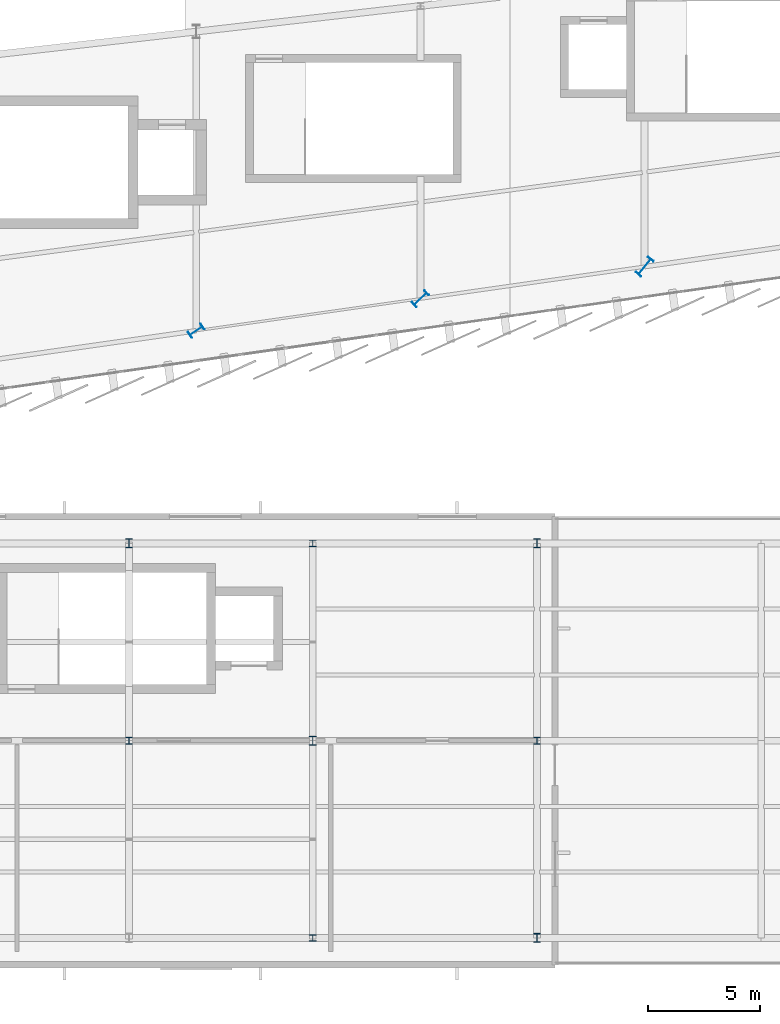
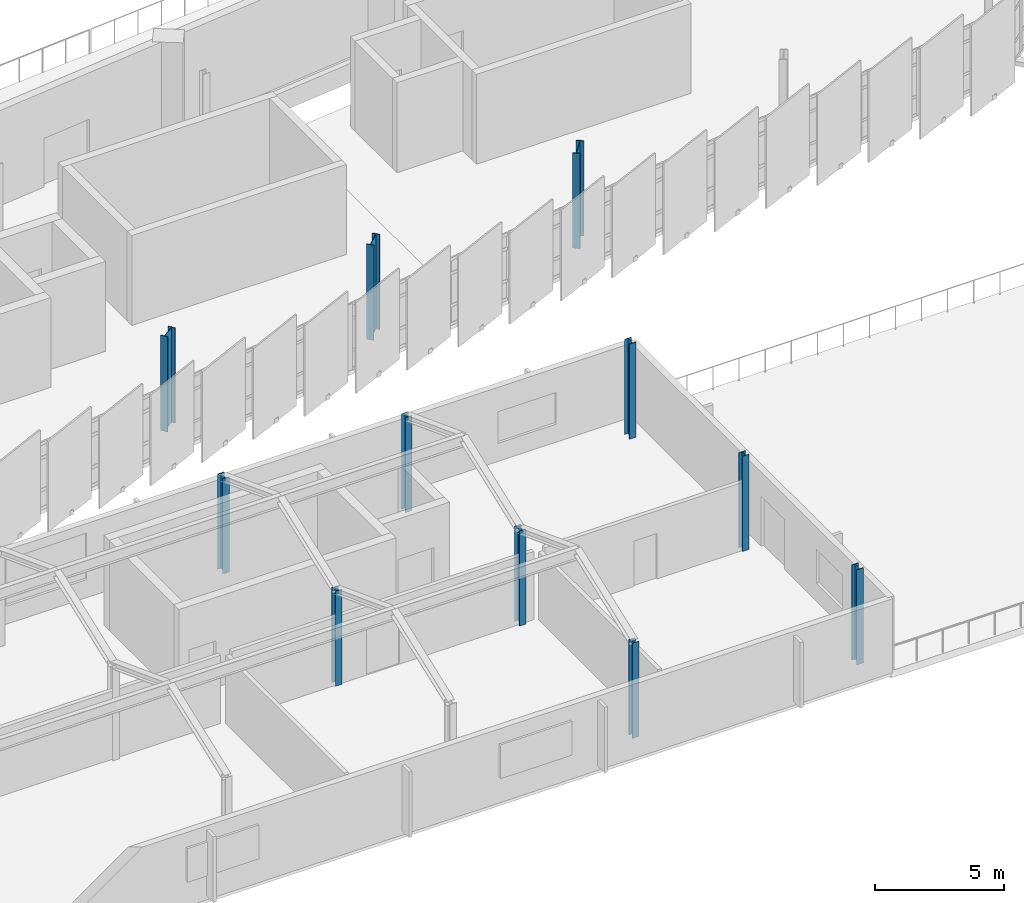
# One storey, part 5 of 87: 11 columns.
"""IFC4 building model written with IfcOpenShell, lengths in metres."""

from ifc_helpers import new_model, si_unit, direction, frame, origin, origin_2d, place, context, subcontext, project, spatial, i_section, extrude, material, material_profile, profile_set, type_object, element, save


model = new_model("IFC4")

# Units and contexts
model_context = context("Model", 3, precision=1e-05, world=origin(), true_north=direction((0.0, 1.0)))
body_context = subcontext(model_context, "Body", "Model", "MODEL_VIEW")
ifc_project = project(units=[si_unit("LENGTHUNIT", "METRE"), si_unit("AREAUNIT", "SQUARE_METRE"), si_unit("VOLUMEUNIT", "CUBIC_METRE"), si_unit("PLANEANGLEUNIT", "RADIAN"), si_unit("MASSUNIT", "GRAM", prefix="KILO")], contexts=[model_context])

# Site, building, storey
site_placement = place(None, origin())
site = spatial("IfcSite", under=ifc_project, at=site_placement, CompositionType="ELEMENT")
building_placement = place(site_placement, origin())
building = spatial("IfcBuilding", under=site, at=building_placement, Name="Sohan Crest Arena", CompositionType="ELEMENT")
storey_placement = place(building_placement, frame((0.0, 0.0, 18.0)))
storey = spatial("IfcBuildingStorey", under=building, at=storey_placement, Name="L04", CompositionType="ELEMENT", Elevation=18.0)

# Columns
ifc_material = material(Name="Steel S355", Category="steel")
ifc_material_profile_1 = material_profile(ifc_material, i_section(OverallWidth=0.300048828125, OverallDepth=0.300048828125, WebThickness=0.010986328125, FlangeThickness=0.01904296875, at=origin_2d()), Name="HEB 300")
ifc_profile_set_1 = profile_set([ifc_material_profile_1], Name="Steel S355")
column_type_1 = type_object("IfcColumnType", Name="STR-COL-C17", PredefinedType="COLUMN", material=ifc_profile_set_1)
for number, where, z_axis, x_axis, name in (
    (1, (125.0, 16.0, 0.0), (0.0, 0.0, 1.0), (1.0, 0.0, 0.0), "Structural column COL-V5C-06-2-L04"),
    (2, (133.199951171875, 7.199951171875, 0.0), (0.0, 0.0, 1.0), (1.0, 0.0, 0.0), "Structural column COL-V5C-07-1-L04"),
    (3, (133.199951171875, 24.800048828125, 0.0), (0.0, 0.0, 1.0), (1.0, 0.0, 0.0), "Structural column COL-V5C-07-3-L04"),
    (4, (143.199951171875, 16.0, 0.0), (0.0, 0.0, 1.0), (1.0, 0.0, 0.0), "Structural column COL-V5C-08-2-L04"),
):
    element("IfcColumn", number, at=place(storey_placement, frame(where, z_axis=z_axis, x_axis=x_axis)), inside=storey, type_object=column_type_1, Name=name, PredefinedType="COLUMN", context=body_context, shape_type="SweptSolid", body=[
        extrude(i_section(OverallWidth=0.300048828125, OverallDepth=0.300048828125, WebThickness=0.010986328125, FlangeThickness=0.01904296875, at=origin_2d()), origin(), (0.0, 0.0, 1.0), 4.5),
    ])
ifc_material_profile_2 = material_profile(ifc_material, i_section(OverallWidth=0.300048828125, OverallDepth=0.39990234375, WebThickness=0.013427734375, FlangeThickness=0.02392578125, at=origin_2d()), Name="HEB 400")
ifc_profile_set_2 = profile_set([ifc_material_profile_2], Name="Steel S355")
column_type_2 = type_object("IfcColumnType", Name="STR-COL-C18", PredefinedType="COLUMN", material=ifc_profile_set_2)
for number, where, z_axis, x_axis, name in (
    (5, (125.0, 24.800048828125, 0.0), (0.0, 0.0, 1.0), (1.0, 0.0, 0.0), "Structural column COL-V5C-06-3-L04"),
    (6, (133.199951171875, 16.0, 0.0), (0.0, 0.0, 1.0), (1.0, 0.0, 0.0), "Structural column COL-V5C-07-2-L04"),
    (7, (143.199951171875, 7.199951171875, 0.0), (0.0, 0.0, 1.0), (1.0, 0.0, 0.0), "Structural column COL-V5C-08-1-L04"),
    (8, (143.199951171875, 24.800048828125, 0.0), (0.0, 0.0, 1.0), (1.0, 0.0, 0.0), "Structural column COL-V5C-08-3-L04"),
):
    element("IfcColumn", number, at=place(storey_placement, frame(where, z_axis=z_axis, x_axis=x_axis)), inside=storey, type_object=column_type_2, Name=name, PredefinedType="COLUMN", context=body_context, shape_type="SweptSolid", body=[
        extrude(i_section(OverallWidth=0.300048828125, OverallDepth=0.39990234375, WebThickness=0.013427734375, FlangeThickness=0.02392578125, at=origin_2d()), origin(), (0.0, 0.0, 1.0), 4.5),
    ])
ifc_material_profile_3 = material_profile(ifc_material, i_section(OverallWidth=0.300048828125, OverallDepth=0.699951171875, WebThickness=0.01708984375, FlangeThickness=0.031982421875, at=origin_2d()), Name="HEB 700")
ifc_profile_set_3 = profile_set([ifc_material_profile_3], Name="Steel S355")
column_type_3 = type_object("IfcColumnType", Name="STR-COL-C21", PredefinedType="COLUMN", material=ifc_profile_set_3)
column_1_placement = place(storey_placement, frame((128.0, 34.285888671875, 0.0), z_axis=(0.0, 0.0, 1.0), x_axis=(-0.566406236925, 0.824126188622, 0.0)))
element("IfcColumn", 9, at=column_1_placement, inside=storey, type_object=column_type_3, Name="Structural column COL-V2O-16-L04", PredefinedType="COLUMN", context=body_context, shape_type="SweptSolid", body=[
    extrude(i_section(OverallWidth=0.300048828125, OverallDepth=0.699951171875, WebThickness=0.01708984375, FlangeThickness=0.031982421875, at=origin_2d()), origin(), (0.0, 0.0, 1.0), 4.5),
])
ifc_material_profile_4 = material_profile(ifc_material, i_section(OverallWidth=0.300048828125, OverallDepth=0.800048828125, WebThickness=0.017578125, FlangeThickness=0.032958984375, at=origin_2d()), Name="HEB 800")
ifc_profile_set_4 = profile_set([ifc_material_profile_4], Name="Steel S355")
column_type_4 = type_object("IfcColumnType", Name="STR-COL-C22", PredefinedType="COLUMN", material=ifc_profile_set_4)
column_2_placement = place(storey_placement, frame((138.0, 35.714111328125, 0.0), z_axis=(0.0, 0.0, 1.0), x_axis=(-0.687087510804, 0.726574670971, 0.0)))
element("IfcColumn", 10, at=column_2_placement, inside=storey, type_object=column_type_4, Name="Structural column COL-V2O-17-L04", PredefinedType="COLUMN", context=body_context, shape_type="SweptSolid", body=[
    extrude(i_section(OverallWidth=0.300048828125, OverallDepth=0.800048828125, WebThickness=0.017578125, FlangeThickness=0.032958984375, at=origin_2d()), origin(), (0.0, 0.0, 1.0), 4.5),
])
ifc_material_profile_5 = material_profile(ifc_material, i_section(OverallWidth=0.300048828125, OverallDepth=0.89990234375, WebThickness=0.0185546875, FlangeThickness=0.034912109375, at=origin_2d()), Name="HEB 900")
ifc_profile_set_5 = profile_set([ifc_material_profile_5], Name="Steel S355")
column_type_5 = type_object("IfcColumnType", Name="STR-COL-C23", PredefinedType="COLUMN", material=ifc_profile_set_5)
column_3_placement = place(storey_placement, frame((148.0, 37.14306640625, 0.0), z_axis=(0.0, 0.0, 1.0), x_axis=(-0.773840209727, 0.633380872628, 0.0)))
element("IfcColumn", 11, at=column_3_placement, inside=storey, type_object=column_type_5, Name="Structural column COL-V2O-18-L04", PredefinedType="COLUMN", context=body_context, shape_type="SweptSolid", body=[
    extrude(i_section(OverallWidth=0.300048828125, OverallDepth=0.89990234375, WebThickness=0.0185546875, FlangeThickness=0.034912109375, at=origin_2d()), origin(), (0.0, 0.0, 1.0), 4.5),
])

save(model, "model.ifc")
